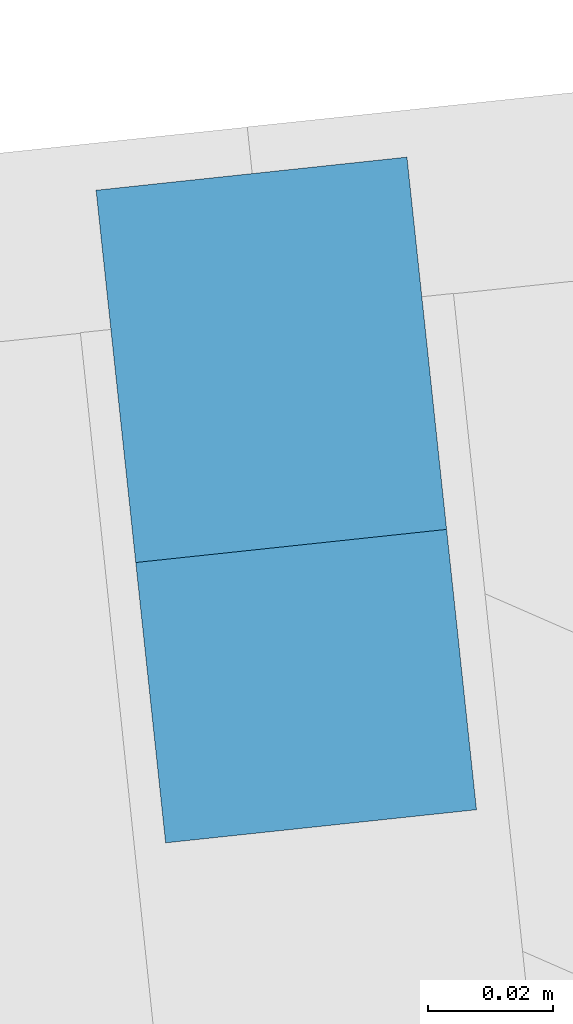
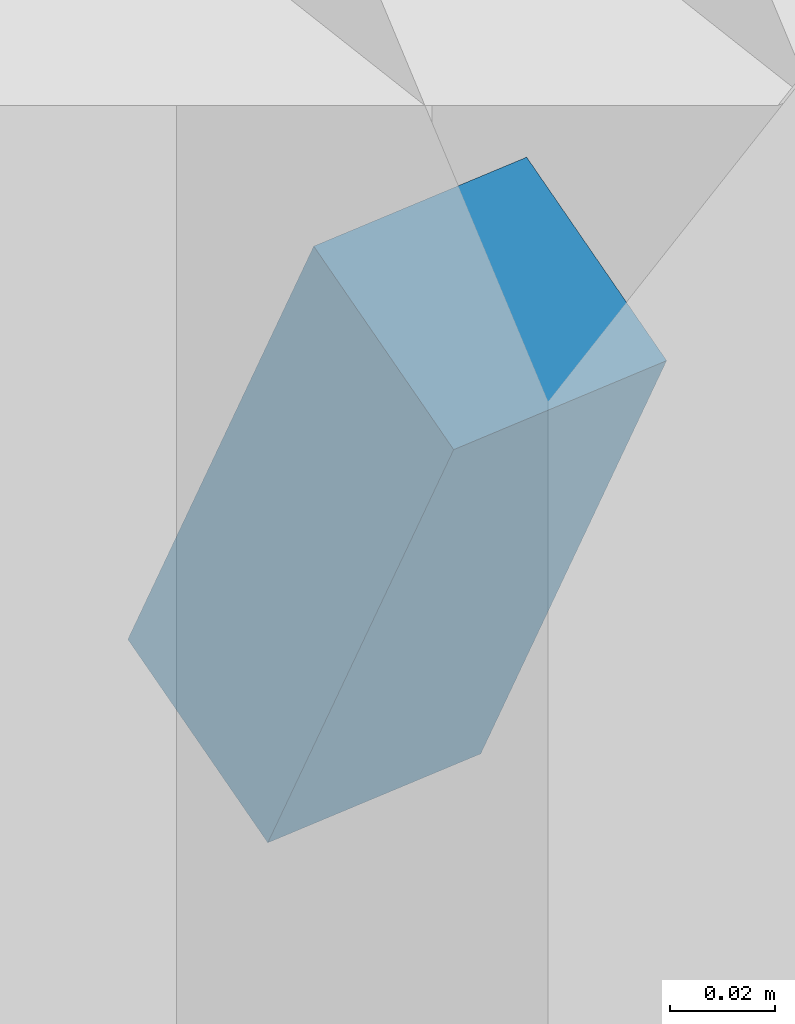
# One storey, part 34 of 41: 1 discrete accessory.
"""IFC4 building model written with IfcOpenShell, lengths in metres."""

from ifc_helpers import new_model, si_unit, direction, frame, origin, origin_2d, place, context, subcontext, project, spatial, rectangle, extrude, material, material_profile, profile_set, type_object, element, save


model = new_model("IFC4")

# Units and contexts
model_context = context("Model", 3, precision=1e-05, world=origin(), true_north=direction((0.0, 1.0)))
body_context = subcontext(model_context, "Body", "Model", "MODEL_VIEW")
ifc_project = project(units=[si_unit("LENGTHUNIT", "METRE"), si_unit("AREAUNIT", "SQUARE_METRE"), si_unit("VOLUMEUNIT", "CUBIC_METRE"), si_unit("PLANEANGLEUNIT", "RADIAN"), si_unit("MASSUNIT", "GRAM", prefix="KILO")], contexts=[model_context])

# Site, building, storey
site_placement = place(None, origin())
site = spatial("IfcSite", under=ifc_project, at=site_placement, CompositionType="ELEMENT")
building_placement = place(site_placement, origin())
building = spatial("IfcBuilding", under=site, at=building_placement, Name="Hakoniwa Tower and Hamabe Station Hall", CompositionType="ELEMENT")
storey_placement = place(building_placement, frame((0.0, 0.0, 276.60009765625)))
storey = spatial("IfcBuildingStorey", under=building, at=storey_placement, Name="L77", CompositionType="ELEMENT", Elevation=276.60009765625)

# Discrete accessory
ifc_material = material(Name="Stainless steel SUS304", Category="steel")
ifc_material_profile = material_profile(ifc_material, rectangle(XDim=0.050048828125, YDim=0.050048828125, at=origin_2d()), Name="CW-4 GLAZING BRACKET 50X50")
ifc_profile_set = profile_set([ifc_material_profile], Name="Stainless steel SUS304")
discrete_accessory_type = type_object("IfcDiscreteAccessoryType", Name="CW-4 GLAZING BRACKET 50X50", PredefinedType="BRACKET", material=ifc_profile_set)
discrete_accessory_placement = place(storey_placement, frame((22.195556640625, 22.1376953125, 4.099853515625), z_axis=(-0.045793671974, 0.429755998525, -0.901783078872), x_axis=(-0.994370656274, -0.105957528947, 0.0)))
element("IfcDiscreteAccessory", 1, at=discrete_accessory_placement, inside=storey, type_object=discrete_accessory_type, Name="Glazing bracket", PredefinedType="BRACKET", context=body_context, shape_type="SweptSolid", body=[
    extrude(rectangle(XDim=0.050048828125, YDim=0.050048828125, at=origin_2d()), origin(), (0.0, 0.0, 1.0), 0.138671875),
])

save(model, "model.ifc")
